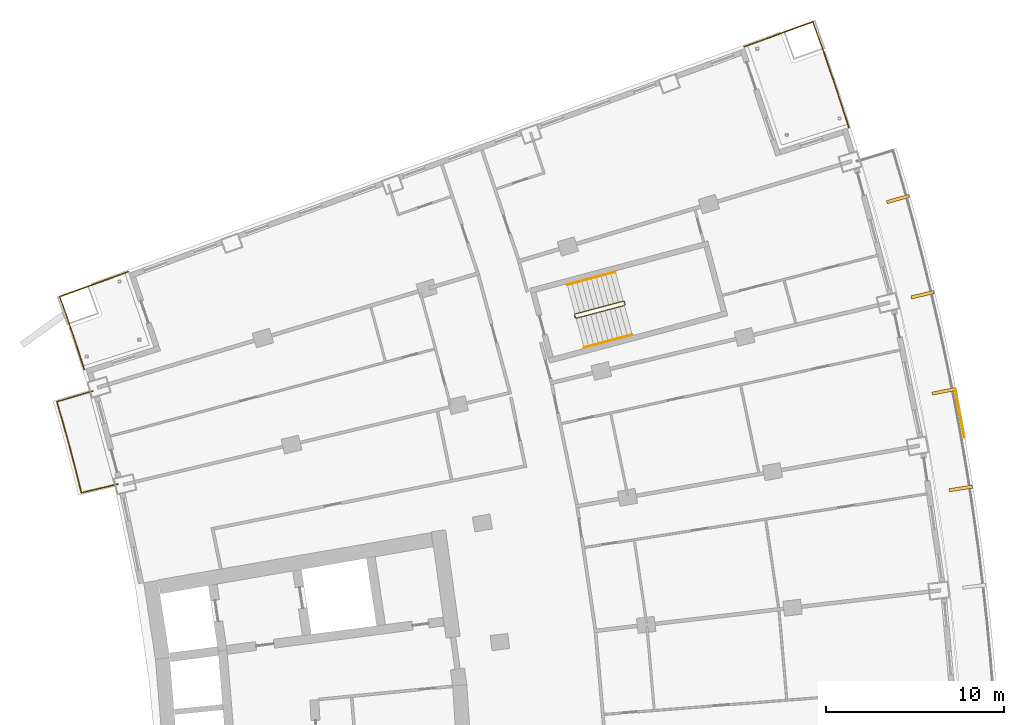
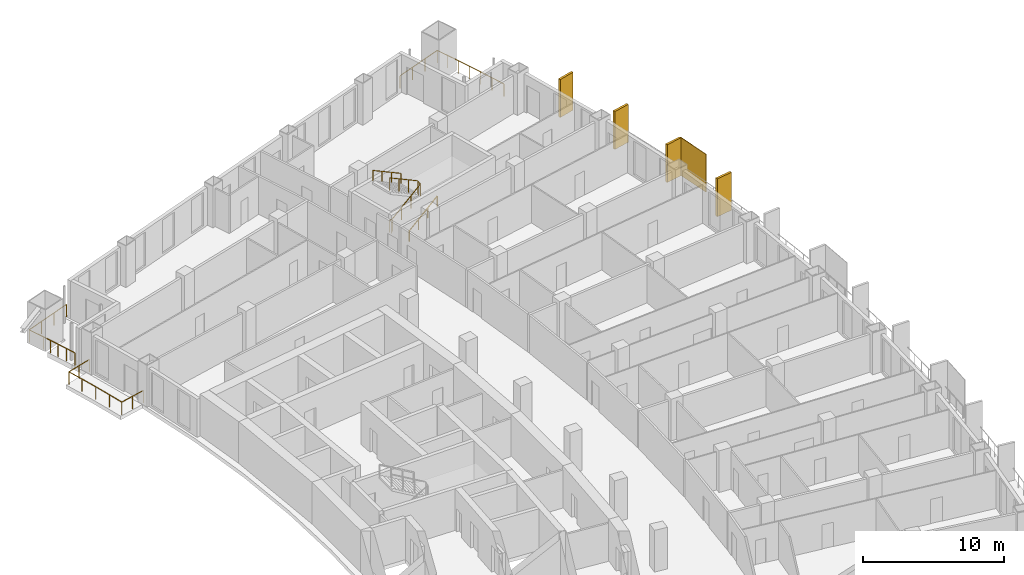
# One storey, part 25 of 25: 6 railings, 5 shading devices.
"""IFC4 building model written with IfcOpenShell, lengths in metres."""

from ifc_helpers import new_model, si_unit, direction, frame, origin, origin_2d, place, context, subcontext, project, spatial, rectangle, extrude, material, layer, layer_set, type_object, element, save


model = new_model("IFC4")

# Units and contexts
model_context = context("Model", 3, precision=1e-05, world=origin(), true_north=direction((0.0, 1.0)))
body_context = subcontext(model_context, "Body", "Model", "MODEL_VIEW")
ifc_project = project(units=[si_unit("LENGTHUNIT", "METRE"), si_unit("AREAUNIT", "SQUARE_METRE"), si_unit("VOLUMEUNIT", "CUBIC_METRE"), si_unit("PLANEANGLEUNIT", "RADIAN"), si_unit("MASSUNIT", "GRAM", prefix="KILO")], contexts=[model_context])

# Site, building, storey
site_placement = place(None, origin())
site = spatial("IfcSite", under=ifc_project, at=site_placement, CompositionType="ELEMENT")
building_placement = place(site_placement, origin())
building = spatial("IfcBuilding", under=site, at=building_placement, Name="Alderwake Tower", CompositionType="ELEMENT")
storey_placement = place(building_placement, frame((0.0, 0.0, 118.39990234375)))
storey = spatial("IfcBuildingStorey", under=building, at=storey_placement, Name="L29", CompositionType="ELEMENT", Elevation=118.39990234375)

# Railings
ifc_material_1 = material(Name="Stainless steel 316 rail and posts", Category="steel")
railing_type_1 = type_object("IfcRailingType", Name="Balcony guard 1100", PredefinedType="GUARDRAIL", material=ifc_material_1)
railing_1_placement = place(storey_placement, frame((13.5693359375, 83.343017578125, 0.0)))
element("IfcRailing", 1, at=railing_1_placement, inside=storey, type_object=railing_type_1, Name="Guard BR11", PredefinedType="GUARDRAIL", context=body_context, shape_type="SweptSolid", body=[
    extrude(rectangle(XDim=0.048095703125, YDim=0.048095703125, at=origin_2d()), frame((0.0, 0.0, 1.076171875), z_axis=(-0.972646310656, -0.232291098337, 0.0), x_axis=(0.232291098337, -0.972646310656, 0.0)), (0.0, 0.0, 1.0), 2.099853515625),
    extrude(rectangle(XDim=0.048095703125, YDim=0.048095703125, at=origin_2d()), frame((-2.04248046875, -0.48779296875, 1.076171875), z_axis=(-0.238877101641, 0.971049808358, 0.0), x_axis=(-0.971049808358, -0.238877101641, 0.0)), (0.0, 0.0, 1.0), 1.2724609375),
    extrude(rectangle(XDim=0.048095703125, YDim=0.048095703125, at=origin_2d()), frame((-2.346435546875, 0.747802734375, 1.076171875), z_axis=(-0.252487086228, 0.967600264204, 0.0), x_axis=(-0.967600264204, -0.252487086228, 0.0)), (0.0, 0.0, 1.0), 1.3720703125),
    extrude(rectangle(XDim=0.048095703125, YDim=0.048095703125, at=origin_2d()), frame((-2.69287109375, 2.075439453125, 1.076171875), z_axis=(-0.266487604617, 0.963838345671, 0.0), x_axis=(-0.963838345671, -0.266487604617, 0.0)), (0.0, 0.0, 1.0), 1.372314453125),
    extrude(rectangle(XDim=0.048095703125, YDim=0.048095703125, at=origin_2d()), frame((-3.05859375, 3.398193359375, 1.076171875), z_axis=(-0.279963157487, 0.960010744966, 0.0), x_axis=(-0.960010744966, -0.279963157487, 0.0)), (0.0, 0.0, 1.0), 1.272216796875),
    extrude(rectangle(XDim=0.048095703125, YDim=0.048095703125, at=origin_2d()), frame((-3.414794921875, 4.61962890625, 1.076171875), z_axis=(0.958091458885, 0.286462486918, 0.0), x_axis=(-0.286462486918, 0.958091458885, 0.0)), (0.0, 0.0, 1.0), 2.099853515625),
    extrude(rectangle(XDim=0.0419921875, YDim=0.0419921875, at=origin_2d()), frame((0.0, 0.0, 0.0), z_axis=(0.0, 0.0, 1.0), x_axis=(-0.972646310656, -0.232291098337, 0.0)), (0.0, 0.0, 1.0), 1.052001953125),
    extrude(rectangle(XDim=0.0419921875, YDim=0.0419921875, at=origin_2d()), frame((-1.021240234375, -0.243896484375, 0.0), z_axis=(0.0, 0.0, 1.0), x_axis=(-0.972646310656, -0.232291098337, 0.0)), (0.0, 0.0, 1.0), 1.052001953125),
    extrude(rectangle(XDim=0.0419921875, YDim=0.0419921875, at=origin_2d()), frame((-2.04248046875, -0.48779296875, 0.0), z_axis=(0.0, 0.0, 1.0), x_axis=(-0.238877101641, 0.971049808358, 0.0)), (0.0, 0.0, 1.0), 1.052001953125),
    extrude(rectangle(XDim=0.0419921875, YDim=0.0419921875, at=origin_2d()), frame((-2.346435546875, 0.747802734375, 0.0), z_axis=(0.0, 0.0, 1.0), x_axis=(-0.252487086228, 0.967600264204, 0.0)), (0.0, 0.0, 1.0), 1.052001953125),
    extrude(rectangle(XDim=0.0419921875, YDim=0.0419921875, at=origin_2d()), frame((-2.69287109375, 2.075439453125, 0.0), z_axis=(0.0, 0.0, 1.0), x_axis=(-0.266487604617, 0.963838345671, 0.0)), (0.0, 0.0, 1.0), 1.052001953125),
    extrude(rectangle(XDim=0.0419921875, YDim=0.0419921875, at=origin_2d()), frame((-3.05859375, 3.398193359375, 0.0), z_axis=(0.0, 0.0, 1.0), x_axis=(-0.279963157487, 0.960010744966, 0.0)), (0.0, 0.0, 1.0), 1.052001953125),
    extrude(rectangle(XDim=0.0419921875, YDim=0.0419921875, at=origin_2d()), frame((-3.414794921875, 4.61962890625, 0.0), z_axis=(0.0, 0.0, 1.0), x_axis=(0.958091458885, 0.286462486918, 0.0)), (0.0, 0.0, 1.0), 1.052001953125),
    extrude(rectangle(XDim=0.0419921875, YDim=0.0419921875, at=origin_2d()), frame((-2.40869140625, 4.92041015625, 0.0), z_axis=(0.0, 0.0, 1.0), x_axis=(0.958091458885, 0.286462486918, 0.0)), (0.0, 0.0, 1.0), 1.052001953125),
    extrude(rectangle(XDim=0.0419921875, YDim=0.0419921875, at=origin_2d()), frame((-1.40283203125, 5.22119140625, 0.0), z_axis=(0.0, 0.0, 1.0), x_axis=(0.958091458885, 0.286462486918, 0.0)), (0.0, 0.0, 1.0), 1.052001953125),
])
railing_2_placement = place(storey_placement, frame((54.594970703125, 103.348876953125, 0.0)))
element("IfcRailing", 2, at=railing_2_placement, inside=storey, type_object=railing_type_1, Name="Guard terrace FN", PredefinedType="GUARDRAIL", context=body_context, shape_type="SweptSolid", body=[
    extrude(rectangle(XDim=0.048095703125, YDim=0.048095703125, at=origin_2d()), frame((0.0, 0.0, 1.076171875), z_axis=(-0.307779974329, 0.951457559433, 0.0), x_axis=(-0.951457559433, -0.307779974329, 0.0)), (0.0, 0.0, 1.0), 2.257568359375),
    extrude(rectangle(XDim=0.048095703125, YDim=0.048095703125, at=origin_2d()), frame((-0.69482421875, 2.14794921875, 1.076171875), z_axis=(-0.322236651578, 0.946659146884, 0.0), x_axis=(-0.946659146884, -0.322236651578, 0.0)), (0.0, 0.0, 1.0), 2.057861328125),
    extrude(rectangle(XDim=0.048095703125, YDim=0.048095703125, at=origin_2d()), frame((-1.35791015625, 4.095947265625, 1.076171875), z_axis=(-0.335838646603, 0.941919531302, 0.0), x_axis=(-0.941919531302, -0.335838646603, 0.0)), (0.0, 0.0, 1.0), 1.957763671875),
    extrude(rectangle(XDim=0.048095703125, YDim=0.048095703125, at=origin_2d()), frame((-2.015380859375, 5.93994140625, 1.076171875), z_axis=(-0.939617696184, -0.342225926863, 0.0), x_axis=(0.342225926863, -0.939617696184, 0.0)), (0.0, 0.0, 1.0), 4.099853515625),
    extrude(rectangle(XDim=0.0419921875, YDim=0.0419921875, at=origin_2d()), frame((0.0, 0.0, 0.0), z_axis=(0.0, 0.0, 1.0), x_axis=(-0.307779974329, 0.951457559433, 0.0)), (0.0, 0.0, 1.0), 1.052001953125),
    extrude(rectangle(XDim=0.0419921875, YDim=0.0419921875, at=origin_2d()), frame((-0.347412109375, 1.073974609375, 0.0), z_axis=(0.0, 0.0, 1.0), x_axis=(-0.307779974329, 0.951457559433, 0.0)), (0.0, 0.0, 1.0), 1.052001953125),
    extrude(rectangle(XDim=0.0419921875, YDim=0.0419921875, at=origin_2d()), frame((-0.69482421875, 2.14794921875, 0.0), z_axis=(0.0, 0.0, 1.0), x_axis=(-0.322236651578, 0.946659146884, 0.0)), (0.0, 0.0, 1.0), 1.052001953125),
    extrude(rectangle(XDim=0.0419921875, YDim=0.0419921875, at=origin_2d()), frame((-1.0263671875, 3.1220703125, 0.0), z_axis=(0.0, 0.0, 1.0), x_axis=(-0.322236651578, 0.946659146884, 0.0)), (0.0, 0.0, 1.0), 1.052001953125),
    extrude(rectangle(XDim=0.0419921875, YDim=0.0419921875, at=origin_2d()), frame((-1.35791015625, 4.095947265625, 0.0), z_axis=(0.0, 0.0, 1.0), x_axis=(-0.335838646603, 0.941919531302, 0.0)), (0.0, 0.0, 1.0), 1.052001953125),
    extrude(rectangle(XDim=0.0419921875, YDim=0.0419921875, at=origin_2d()), frame((-1.6865234375, 5.01806640625, 0.0), z_axis=(0.0, 0.0, 1.0), x_axis=(-0.335838646603, 0.941919531302, 0.0)), (0.0, 0.0, 1.0), 1.052001953125),
    extrude(rectangle(XDim=0.0419921875, YDim=0.0419921875, at=origin_2d()), frame((-2.015380859375, 5.93994140625, 0.0), z_axis=(0.0, 0.0, 1.0), x_axis=(-0.939617696184, -0.342225926863, 0.0)), (0.0, 0.0, 1.0), 1.052001953125),
    extrude(rectangle(XDim=0.0419921875, YDim=0.0419921875, at=origin_2d()), frame((-3.299560546875, 5.47216796875, 0.0), z_axis=(0.0, 0.0, 1.0), x_axis=(-0.939617696184, -0.342225926863, 0.0)), (0.0, 0.0, 1.0), 1.052001953125),
    extrude(rectangle(XDim=0.0419921875, YDim=0.0419921875, at=origin_2d()), frame((-4.58349609375, 5.004638671875, 0.0), z_axis=(0.0, 0.0, 1.0), x_axis=(-0.939617696184, -0.342225926863, 0.0)), (0.0, 0.0, 1.0), 1.052001953125),
    extrude(rectangle(XDim=0.0419921875, YDim=0.0419921875, at=origin_2d()), frame((-5.86767578125, 4.536865234375, 0.0), z_axis=(0.0, 0.0, 1.0), x_axis=(-0.939617696184, -0.342225926863, 0.0)), (0.0, 0.0, 1.0), 1.052001953125),
])
railing_3_placement = place(storey_placement, frame((11.688720703125, 89.781982421875, 0.0)))
element("IfcRailing", 3, at=railing_3_placement, inside=storey, type_object=railing_type_1, Name="Guard terrace RN", PredefinedType="GUARDRAIL", context=body_context, shape_type="SweptSolid", body=[
    extrude(rectangle(XDim=0.048095703125, YDim=0.048095703125, at=origin_2d()), frame((0.0, 0.0, 1.076171875), z_axis=(-0.307479326145, 0.951554761426, 0.0), x_axis=(-0.951554761426, -0.307479326145, 0.0)), (0.0, 0.0, 1.0), 1.6015625),
    extrude(rectangle(XDim=0.048095703125, YDim=0.048095703125, at=origin_2d()), frame((-0.492431640625, 1.52392578125, 1.076171875), z_axis=(-0.322283727344, 0.946643121292, 0.0), x_axis=(-0.946643121292, -0.322283727344, 0.0)), (0.0, 0.0, 1.0), 1.4013671875),
    extrude(rectangle(XDim=0.048095703125, YDim=0.048095703125, at=origin_2d()), frame((-0.944091796875, 2.8505859375, 1.076171875), z_axis=(-0.335468607403, 0.942051385778, 0.0), x_axis=(-0.942051385778, -0.335468607403, 0.0)), (0.0, 0.0, 1.0), 1.30126953125),
    extrude(rectangle(XDim=0.048095703125, YDim=0.048095703125, at=origin_2d()), frame((-1.380615234375, 4.076416015625, 1.076171875), z_axis=(0.939708203232, 0.341977327873, 0.0), x_axis=(-0.341977327873, 0.939708203232, 0.0)), (0.0, 0.0, 1.0), 4.10009765625),
    extrude(rectangle(XDim=0.0419921875, YDim=0.0419921875, at=origin_2d()), frame((0.0, 0.0, 0.0), z_axis=(0.0, 0.0, 1.0), x_axis=(-0.307479326145, 0.951554761426, 0.0)), (0.0, 0.0, 1.0), 1.052001953125),
    extrude(rectangle(XDim=0.0419921875, YDim=0.0419921875, at=origin_2d()), frame((-0.24609375, 0.761962890625, 0.0), z_axis=(0.0, 0.0, 1.0), x_axis=(-0.307479326145, 0.951554761426, 0.0)), (0.0, 0.0, 1.0), 1.052001953125),
    extrude(rectangle(XDim=0.0419921875, YDim=0.0419921875, at=origin_2d()), frame((-0.492431640625, 1.52392578125, 0.0), z_axis=(0.0, 0.0, 1.0), x_axis=(-0.322283727344, 0.946643121292, 0.0)), (0.0, 0.0, 1.0), 1.052001953125),
    extrude(rectangle(XDim=0.0419921875, YDim=0.0419921875, at=origin_2d()), frame((-0.71826171875, 2.187255859375, 0.0), z_axis=(0.0, 0.0, 1.0), x_axis=(-0.322283727344, 0.946643121292, 0.0)), (0.0, 0.0, 1.0), 1.052001953125),
    extrude(rectangle(XDim=0.0419921875, YDim=0.0419921875, at=origin_2d()), frame((-0.944091796875, 2.8505859375, 0.0), z_axis=(0.0, 0.0, 1.0), x_axis=(-0.335468607403, 0.942051385778, 0.0)), (0.0, 0.0, 1.0), 1.052001953125),
    extrude(rectangle(XDim=0.0419921875, YDim=0.0419921875, at=origin_2d()), frame((-1.380615234375, 4.076416015625, 0.0), z_axis=(0.0, 0.0, 1.0), x_axis=(0.939708203232, 0.341977327873, 0.0)), (0.0, 0.0, 1.0), 1.052001953125),
    extrude(rectangle(XDim=0.0419921875, YDim=0.0419921875, at=origin_2d()), frame((-0.096435546875, 4.543701171875, 0.0), z_axis=(0.0, 0.0, 1.0), x_axis=(0.939708203232, 0.341977327873, 0.0)), (0.0, 0.0, 1.0), 1.052001953125),
    extrude(rectangle(XDim=0.0419921875, YDim=0.0419921875, at=origin_2d()), frame((1.18798828125, 5.01123046875, 0.0), z_axis=(0.0, 0.0, 1.0), x_axis=(0.939708203232, 0.341977327873, 0.0)), (0.0, 0.0, 1.0), 1.052001953125),
    extrude(rectangle(XDim=0.0419921875, YDim=0.0419921875, at=origin_2d()), frame((2.47216796875, 5.478515625, 0.0), z_axis=(0.0, 0.0, 1.0), x_axis=(0.939708203232, 0.341977327873, 0.0)), (0.0, 0.0, 1.0), 1.052001953125),
])

# Shading devices
ifc_material_2 = material(Name="Bronze anodised aluminium", Category="aluminium")
ifc_layer_1 = layer(ifc_material_2, 0.179931640625)
ifc_layer_set_1 = layer_set([ifc_layer_1], Name="Facade fin 1300")
shading_device_type_1 = type_object("IfcShadingDeviceType", Name="Facade fin 1300", PredefinedType="USERDEFINED", material=ifc_layer_set_1)
for number, where, z_axis, x_axis, name in (
    (4, (60.877197265625, 83.09912109375, 0.0), (0.0, 0.0, 1.0), (0.987918787879, 0.154972476771, 0.0), "Fin"),
    (5, (59.9140625, 88.547119140625, 0.0), (0.0, 0.0, 1.0), (0.981163751315, 0.193177879441, 0.0), "Fin"),
    (6, (58.73681640625, 93.967529296875, 0.0), (0.0, 0.0, 1.0), (0.972908790564, 0.231189284448, 0.0), "Fin"),
    (7, (57.349609375, 99.338134765625, 0.0), (0.0, 0.0, 1.0), (0.96318180783, 0.268850897459, 0.0), "Fin"),
):
    element("IfcShadingDevice", number, at=place(storey_placement, frame(where, z_axis=z_axis, x_axis=x_axis)), inside=storey, type_object=shading_device_type_1, Name=name, ObjectType="FIN", PredefinedType="USERDEFINED", context=body_context, shape_type="SweptSolid", body=[
        extrude(rectangle(XDim=1.300048828125, YDim=0.179931640625, at=origin_2d()), origin(), (0.0, 0.0, 1.0), 3.280029296875),
    ])
ifc_material_3 = material(Name="Perforated bronze anodised aluminium", Category="aluminium")
ifc_layer_2 = layer(ifc_material_3, 0.050048828125)
ifc_layer_set_2 = layer_set([ifc_layer_2], Name="Perforated screen panel")
shading_device_type_2 = type_object("IfcShadingDeviceType", Name="Perforated screen panel", PredefinedType="USERDEFINED", material=ifc_layer_set_2)
shading_device_placement = place(storey_placement, frame((60.83154296875, 87.3115234375, 0.0), z_axis=(0.0, 0.0, 1.0), x_axis=(0.982991488043, 0.183651121519, 0.0)))
element("IfcShadingDevice", 8, at=shading_device_placement, inside=storey, type_object=shading_device_type_2, Name="Screen panel", ObjectType="SCREEN", PredefinedType="USERDEFINED", context=body_context, shape_type="SweptSolid", body=[
    extrude(rectangle(XDim=0.050048828125, YDim=2.779541015625, at=origin_2d()), origin(), (0.0, 0.0, 1.0), 3.280029296875),
])

# Railings
ifc_material_4 = material(Name="Stainless steel guard", Category="steel")
railing_type_2 = type_object("IfcRailingType", Name="Stair guard 1100", PredefinedType="GUARDRAIL", material=ifc_material_4)
railing_4_placement = place(storey_placement, frame((39.23291015625, 92.6806640625, 0.0)))
element("IfcRailing", 9, at=railing_4_placement, inside=storey, type_object=railing_type_2, Name="L29 ST-A stair guard 1", PredefinedType="GUARDRAIL", context=body_context, shape_type="SweptSolid", body=[
    extrude(rectangle(XDim=0.048095703125, YDim=0.048095703125, at=origin_2d()), frame((0.0, 0.0, 1.076171875), z_axis=(-0.257055032184, 0.966396766566, 0.0), x_axis=(-0.966396766566, -0.257055032184, 0.0)), (0.0, 0.0, 1.0), 0.150146484375),
    extrude(rectangle(XDim=0.048095703125, YDim=0.048095703125, at=origin_2d()), frame((-0.03857421875, 0.14501953125, 1.076171875), z_axis=(0.379152066478, -0.68506938173, 0.622031874345), x_axis=(0.874937996095, 0.484234966715, 0.0)), (0.0, 0.0, 1.0), 0.263427734375),
    extrude(rectangle(XDim=0.048095703125, YDim=0.048095703125, at=origin_2d()), frame((0.061279296875, -0.035400390625, 1.23974609375), z_axis=(0.834290631165, 0.222236594766, 0.504549342183), x_axis=(-0.257402139082, 0.966304371715, 0.0)), (0.0, 0.0, 1.0), 3.242919921875),
    extrude(rectangle(XDim=0.048095703125, YDim=0.048095703125, at=origin_2d()), frame((2.766845703125, 0.685302734375, 2.8759765625), z_axis=(0.500220121494, 0.865898279276, 0.0), x_axis=(-0.865898279276, 0.500220121494, 0.0)), (0.0, 0.0, 1.0), 0.07080078125),
    extrude(rectangle(XDim=0.048095703125, YDim=0.048095703125, at=origin_2d()), frame((2.80224609375, 0.74658203125, 2.8759765625), z_axis=(-0.257459803502, 0.966289009345, 0.0), x_axis=(-0.966289009345, -0.257459803502, 0.0)), (0.0, 0.0, 1.0), 0.14990234375),
    extrude(rectangle(XDim=0.048095703125, YDim=0.048095703125, at=origin_2d()), frame((2.763671875, 0.891357421875, 2.8759765625), z_axis=(-0.34252489212, 0.200034536998, 0.917966710881), x_axis=(-0.504300490226, -0.863528236688, 0.0)), (0.0, 0.0, 1.0), 0.17822265625),
    extrude(rectangle(XDim=0.048095703125, YDim=0.048095703125, at=origin_2d()), frame((2.70263671875, 0.927001953125, 3.03955078125), z_axis=(-0.834281824786, -0.222214197128, 0.504573768072), x_axis=(0.257380452725, -0.966310148221, 0.0)), (0.0, 0.0, 1.0), 3.2431640625),
    extrude(rectangle(XDim=0.0419921875, YDim=0.0419921875, at=origin_2d()), frame((0.0, 0.0, 0.0), z_axis=(0.0, 0.0, 1.0), x_axis=(-0.257055032184, 0.966396766566, 0.0)), (0.0, 0.0, 1.0), 1.052001953125),
    extrude(rectangle(XDim=0.0419921875, YDim=0.0419921875, at=origin_2d()), frame((-0.03857421875, 0.14501953125, 0.0), z_axis=(0.0, 0.0, 1.0), x_axis=(0.484234966715, -0.874937996095, 0.0)), (0.0, 0.0, 1.0), 1.052001953125),
    extrude(rectangle(XDim=0.0419921875, YDim=0.0419921875, at=origin_2d()), frame((0.061279296875, -0.035400390625, 0.163818359375), z_axis=(0.0, 0.0, 1.0), x_axis=(0.966304371715, 0.257402139082, 0.0)), (0.0, 0.0, 1.0), 1.052001953125),
    extrude(rectangle(XDim=0.0419921875, YDim=0.0419921875, at=origin_2d()), frame((0.963134765625, 0.204833984375, 0.709228515625), z_axis=(0.0, 0.0, 1.0), x_axis=(0.966304371715, 0.257402139082, 0.0)), (0.0, 0.0, 1.0), 1.052001953125),
    extrude(rectangle(XDim=0.0419921875, YDim=0.0419921875, at=origin_2d()), frame((1.864990234375, 0.445068359375, 1.254638671875), z_axis=(0.0, 0.0, 1.0), x_axis=(0.966304371715, 0.257402139082, 0.0)), (0.0, 0.0, 1.0), 1.052001953125),
    extrude(rectangle(XDim=0.0419921875, YDim=0.0419921875, at=origin_2d()), frame((2.766845703125, 0.685302734375, 1.800048828125), z_axis=(0.0, 0.0, 1.0), x_axis=(0.500220121494, 0.865898279276, 0.0)), (0.0, 0.0, 1.0), 1.052001953125),
    extrude(rectangle(XDim=0.0419921875, YDim=0.0419921875, at=origin_2d()), frame((2.80224609375, 0.74658203125, 1.800048828125), z_axis=(0.0, 0.0, 1.0), x_axis=(-0.257459803502, 0.966289009345, 0.0)), (0.0, 0.0, 1.0), 1.052001953125),
    extrude(rectangle(XDim=0.0419921875, YDim=0.0419921875, at=origin_2d()), frame((2.763671875, 0.891357421875, 1.800048828125), z_axis=(0.0, 0.0, 1.0), x_axis=(-0.863528236688, 0.504300490226, 0.0)), (0.0, 0.0, 1.0), 1.052001953125),
    extrude(rectangle(XDim=0.0419921875, YDim=0.0419921875, at=origin_2d()), frame((2.70263671875, 0.927001953125, 1.963623046875), z_axis=(0.0, 0.0, 1.0), x_axis=(-0.966310148221, -0.257380452725, 0.0)), (0.0, 0.0, 1.0), 1.052001953125),
    extrude(rectangle(XDim=0.0419921875, YDim=0.0419921875, at=origin_2d()), frame((1.80078125, 0.686767578125, 2.509033203125), z_axis=(0.0, 0.0, 1.0), x_axis=(-0.966310148221, -0.257380452725, 0.0)), (0.0, 0.0, 1.0), 1.052001953125),
    extrude(rectangle(XDim=0.0419921875, YDim=0.0419921875, at=origin_2d()), frame((0.898681640625, 0.446533203125, 3.0546875), z_axis=(0.0, 0.0, 1.0), x_axis=(-0.966310148221, -0.257380452725, 0.0)), (0.0, 0.0, 1.0), 1.052001953125),
    extrude(rectangle(XDim=0.0419921875, YDim=0.0419921875, at=origin_2d()), frame((-0.003173828125, 0.206298828125, 3.60009765625), z_axis=(0.0, 0.0, 1.0), x_axis=(-0.966310148221, -0.257380452725, 0.0)), (0.0, 0.0, 1.0), 1.052001953125),
])
ifc_material_5 = material(Name="Stainless steel handrail", Category="steel")
railing_type_3 = type_object("IfcRailingType", Name="Stair handrail 900", PredefinedType="HANDRAIL", material=ifc_material_5)
railing_5_placement = place(storey_placement, frame((39.731689453125, 91.002685546875, 0.163818359375)))
element("IfcRailing", 10, at=railing_5_placement, inside=storey, type_object=railing_type_3, Name="L29 ST-A stair handrail 1", PredefinedType="HANDRAIL", context=body_context, shape_type="SweptSolid", body=[
    extrude(rectangle(XDim=0.048095703125, YDim=0.048095703125, at=origin_2d()), frame((0.0, 0.0, 0.8759765625), z_axis=(0.834290631165, 0.222236594766, 0.504549342183), x_axis=(-0.257402139082, 0.966304371715, 0.0)), (0.0, 0.0, 1.0), 3.242919921875),
    extrude(rectangle(XDim=0.0419921875, YDim=0.0419921875, at=origin_2d()), frame((0.0, 0.0, 0.0), z_axis=(0.0, 0.0, 1.0), x_axis=(0.966304371715, 0.257402139082, 0.0)), (0.0, 0.0, 1.0), 0.851806640625),
    extrude(rectangle(XDim=0.0419921875, YDim=0.0419921875, at=origin_2d()), frame((0.90185546875, 0.240234375, 0.54541015625), z_axis=(0.0, 0.0, 1.0), x_axis=(0.966304371715, 0.257402139082, 0.0)), (0.0, 0.0, 1.0), 0.851806640625),
    extrude(rectangle(XDim=0.0419921875, YDim=0.0419921875, at=origin_2d()), frame((1.8037109375, 0.48046875, 1.0908203125), z_axis=(0.0, 0.0, 1.0), x_axis=(0.966304371715, 0.257402139082, 0.0)), (0.0, 0.0, 1.0), 0.851806640625),
    extrude(rectangle(XDim=0.0419921875, YDim=0.0419921875, at=origin_2d()), frame((2.70556640625, 0.720703125, 1.63623046875), z_axis=(0.0, 0.0, 1.0), x_axis=(0.966304371715, 0.257402139082, 0.0)), (0.0, 0.0, 1.0), 0.851806640625),
])
railing_6_placement = place(storey_placement, frame((41.497802734375, 95.250244140625, 1.963623046875)))
element("IfcRailing", 11, at=railing_6_placement, inside=storey, type_object=railing_type_3, Name="L29 ST-A stair handrail 2", PredefinedType="HANDRAIL", context=body_context, shape_type="SweptSolid", body=[
    extrude(rectangle(XDim=0.048095703125, YDim=0.048095703125, at=origin_2d()), frame((0.0, 0.0, 0.8759765625), z_axis=(-0.834258940753, -0.22222815314, 0.504605457487), x_axis=(0.257402139082, -0.966304371715, 0.0)), (0.0, 0.0, 1.0), 3.2431640625),
    extrude(rectangle(XDim=0.0419921875, YDim=0.0419921875, at=origin_2d()), frame((0.0, 0.0, 0.0), z_axis=(0.0, 0.0, 1.0), x_axis=(-0.966304371715, -0.257402139082, 0.0)), (0.0, 0.0, 1.0), 0.851806640625),
    extrude(rectangle(XDim=0.0419921875, YDim=0.0419921875, at=origin_2d()), frame((-0.90185546875, -0.240234375, 0.54541015625), z_axis=(0.0, 0.0, 1.0), x_axis=(-0.966304371715, -0.257402139082, 0.0)), (0.0, 0.0, 1.0), 0.851806640625),
    extrude(rectangle(XDim=0.0419921875, YDim=0.0419921875, at=origin_2d()), frame((-1.8037109375, -0.48046875, 1.091064453125), z_axis=(0.0, 0.0, 1.0), x_axis=(-0.966304371715, -0.257402139082, 0.0)), (0.0, 0.0, 1.0), 0.851806640625),
    extrude(rectangle(XDim=0.0419921875, YDim=0.0419921875, at=origin_2d()), frame((-2.70556640625, -0.720703125, 1.636474609375), z_axis=(0.0, 0.0, 1.0), x_axis=(-0.966304371715, -0.257402139082, 0.0)), (0.0, 0.0, 1.0), 0.851806640625),
])

save(model, "model.ifc")
